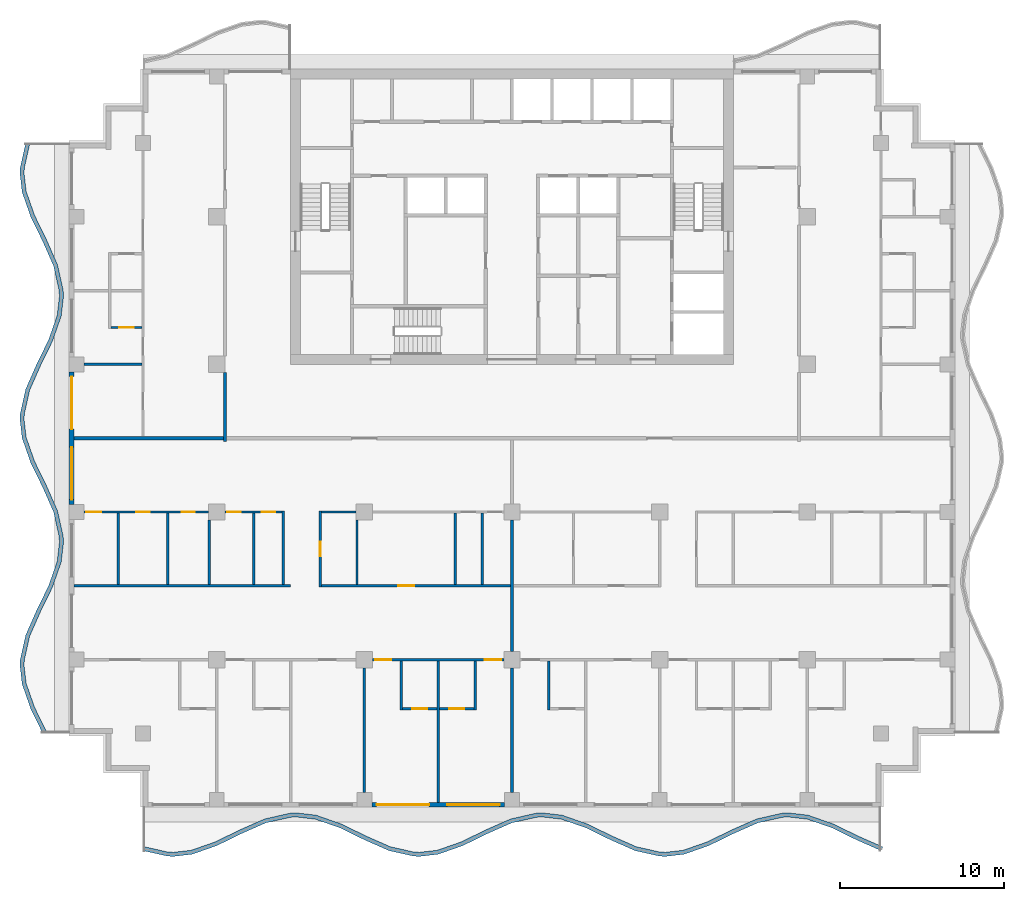
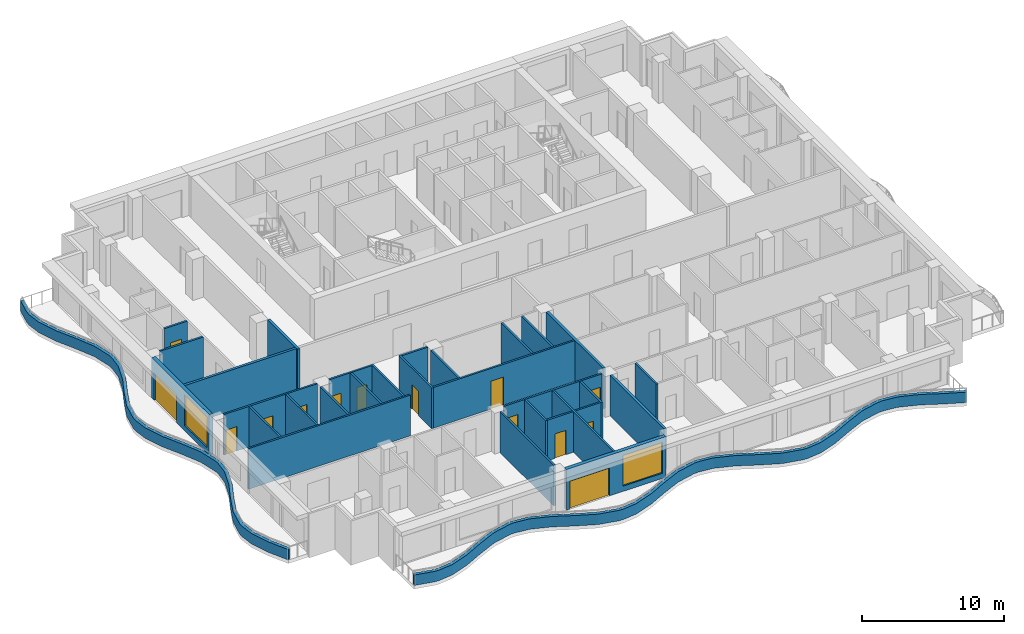
# One storey, part 2 of 11: 32 walls, 14 doors, 2 windows, 16 openings.
"""IFC4 building model written with IfcOpenShell, lengths in metres."""

from ifc_helpers import new_model, si_unit, direction, frame, frame_2d, origin, place, context, subcontext, project, spatial, polyline, rectangle, outline, extrude, material, layer, layer_set, type_object, element, fill, save


model = new_model("IFC4")

# Units and contexts
model_context = context("Model", 3, precision=1e-05, world=origin(), true_north=direction((0.0, 1.0)))
body_context = subcontext(model_context, "Body", "Model", "MODEL_VIEW")
ifc_project = project(units=[si_unit("LENGTHUNIT", "METRE"), si_unit("AREAUNIT", "SQUARE_METRE"), si_unit("VOLUMEUNIT", "CUBIC_METRE"), si_unit("PLANEANGLEUNIT", "RADIAN"), si_unit("MASSUNIT", "GRAM", prefix="KILO")], contexts=[model_context])

# Site, building, storey
site_placement = place(None, origin())
site = spatial("IfcSite", under=ifc_project, at=site_placement, CompositionType="ELEMENT")
building_placement = place(site_placement, origin())
building = spatial("IfcBuilding", under=site, at=building_placement, Name="Orbiselva Terraces", CompositionType="ELEMENT")
storey_placement = place(building_placement, frame((0.0, 0.0, 246.4)))
storey = spatial("IfcBuildingStorey", under=building, at=storey_placement, Name="L62", CompositionType="ELEMENT", Elevation=246.4)

# Walls
ifc_material_1 = material(Name="Concrete C40/50", Category="concrete")
ifc_layer_1 = layer(ifc_material_1, 0.25)
ifc_layer_set_1 = layer_set([ifc_layer_1], Name="Concrete C40/50")
wall_type_1 = type_object("IfcWallType", Name="ENV-PLANTER-250x900", PredefinedType="USERDEFINED", material=ifc_layer_set_1)
wall_1_placement = place(storey_placement, origin())
element("IfcWall", 1, at=wall_1_placement, inside=storey, type_object=wall_type_1, Name="Balcony planter L62 S", ObjectType="PLANTER", PredefinedType="USERDEFINED", context=body_context, shape_type="SweptSolid", body=[
    extrude(outline(polyline([(-22.5, -25.148528), (-21.0, -25.485226), (-20.625, -25.5), (-19.5, -25.369208), (-18.0, -24.844789), (-16.5, -24.112279), (-15.0, -23.451472), (-13.5, -23.114774), (-13.125, -23.1), (-12.0, -23.230792), (-10.5, -23.755211), (-9.0, -24.487721), (-7.5, -25.148528), (-6.0, -25.485226), (-5.625, -25.5), (-4.5, -25.369208), (-3.0, -24.844789), (-1.5, -24.112279), (0.0, -23.451472), (1.5, -23.114774), (1.875, -23.1), (3.0, -23.230792), (4.5, -23.755211), (6.0, -24.487721), (7.5, -25.148528), (9.0, -25.485226), (9.375, -25.5), (10.5, -25.369208), (12.0, -24.844789), (13.5, -24.112279), (15.0, -23.451472), (16.5, -23.114774), (16.875, -23.1), (18.0, -23.230792), (19.5, -23.755211), (21.0, -24.487721), (22.5, -25.148528), (22.600788, -24.919745), (21.105286, -24.260919), (19.59644, -23.524089), (18.056371, -22.985662), (16.884572, -22.849429), (16.467435, -22.865863), (14.921492, -23.212874), (13.394714, -23.885477), (11.90356, -24.613667), (10.443629, -25.124078), (9.365428, -25.249429), (9.032565, -25.236315), (7.578508, -24.90993), (6.105286, -24.260919), (4.59644, -23.524089), (3.056371, -22.985662), (1.884572, -22.849429), (1.467435, -22.865863), (-0.078508, -23.212874), (-1.605286, -23.885477), (-3.09644, -24.613667), (-4.556371, -25.124078), (-5.634572, -25.249429), (-5.967435, -25.236315), (-7.421492, -24.90993), (-8.894714, -24.260919), (-10.40356, -23.524089), (-11.943629, -22.985662), (-13.115428, -22.849429), (-13.532565, -22.865863), (-15.078508, -23.212874), (-16.605286, -23.885477), (-18.09644, -24.613667), (-19.556371, -25.124078), (-20.634572, -25.249429), (-20.967435, -25.236315), (-22.445246, -24.904598), (-22.5, -25.148528)])), origin(), (0.0, 0.0, 1.0), 0.9),
])
wall_2_placement = place(storey_placement, origin())
element("IfcWall", 2, at=wall_2_placement, inside=storey, type_object=wall_type_1, Name="Balcony planter L62 W", ObjectType="PLANTER", PredefinedType="USERDEFINED", context=body_context, shape_type="SweptSolid", body=[
    extrude(outline(polyline([(-29.648528, 18.0), (-29.985226, 16.5), (-30.0, 16.125), (-29.869208, 15.0), (-29.344789, 13.5), (-28.612279, 12.0), (-27.951472, 10.5), (-27.614774, 9.0), (-27.6, 8.625), (-27.730792, 7.5), (-28.255211, 6.0), (-28.987721, 4.5), (-29.648528, 3.0), (-29.985226, 1.5), (-30.0, 1.125), (-29.869208, 0.0), (-29.344789, -1.5), (-28.612279, -3.0), (-27.951472, -4.5), (-27.614774, -6.0), (-27.6, -6.375), (-27.730792, -7.5), (-28.255211, -9.0), (-28.987721, -10.5), (-29.648528, -12.0), (-29.985226, -13.5), (-30.0, -13.875), (-29.869208, -15.0), (-29.344789, -16.5), (-28.612279, -18.0), (-28.387634, -17.890297), (-29.113667, -16.40356), (-29.624078, -14.943629), (-29.749429, -13.865428), (-29.736315, -13.532565), (-29.40993, -12.078508), (-28.760919, -10.605286), (-28.024089, -9.09644), (-27.485662, -7.556371), (-27.349429, -6.384572), (-27.365863, -5.967435), (-27.712874, -4.421492), (-28.385477, -2.894714), (-29.113667, -1.40356), (-29.624078, 0.056371), (-29.749429, 1.134572), (-29.736315, 1.467435), (-29.40993, 2.921492), (-28.760919, 4.394714), (-28.024089, 5.90356), (-27.485662, 7.443629), (-27.349429, 8.615428), (-27.365863, 9.032565), (-27.712874, 10.578508), (-28.385477, 12.105286), (-29.113667, 13.59644), (-29.624078, 15.056371), (-29.749429, 16.134572), (-29.736315, 16.467435), (-29.404598, 17.945246), (-29.648528, 18.0)])), origin(), (0.0, 0.0, 1.0), 0.9),
])

# Wall, openings, door, window
ifc_material_2 = material(Name="Terracotta cladding on masonry backing", Category="masonry")
ifc_layer_2 = layer(ifc_material_2, 0.3)
ifc_layer_set_2 = layer_set([ifc_layer_2], Name="Terracotta cladding on masonry backing")
wall_type_2 = type_object("IfcWallType", Name="ENV-WALL-TERRACOTTA-300", PredefinedType="SOLIDWALL", material=ifc_layer_set_2)
wall_3_placement = place(storey_placement, frame((-0.45, -22.35, 0.0), z_axis=(0.0, 0.0, 1.0), x_axis=(-1.0, 0.0, 0.0)))
wall_3 = element("IfcWall", 3, at=wall_3_placement, inside=storey, type_object=wall_type_2, Name="Facade wall L62 S", PredefinedType="SOLIDWALL", context=body_context, shape_type="SweptSolid", body=[
    extrude(rectangle(XDim=8.1, YDim=0.3, at=frame_2d((4.05, 0.0))), origin(), (0.0, 0.0, 1.0), 3.5),
])
opening_1_placement = place(wall_3_placement, frame((4.6, 0.0, 0.0)))
opening_1 = element("IfcOpeningElement", 4, at=opening_1_placement, cuts=wall_3, Name="Opening Z5-A-E18", PredefinedType="OPENING", context=body_context, shape_type="SweptSolid", body=[
    extrude(rectangle(XDim=3.2, YDim=2.4, at=frame_2d((1.6, 1.2))), frame((0.0, 0.16, 0.0), z_axis=(0.0, -1.0, 0.0), x_axis=(1.0, 0.0, 0.0)), (0.0, 0.0, 1.0), 0.32),
])
opening_2_placement = place(wall_3_placement, frame((0.3, 0.0, 0.45)))
opening_2 = element("IfcOpeningElement", 5, at=opening_2_placement, cuts=wall_3, Name="Opening WN17", PredefinedType="OPENING", context=body_context, shape_type="SweptSolid", body=[
    extrude(rectangle(XDim=3.2, YDim=2.65, at=frame_2d((1.6, 1.325))), frame((0.0, 0.16, 0.0), z_axis=(0.0, -1.0, 0.0), x_axis=(1.0, 0.0, 0.0)), (0.0, 0.0, 1.0), 0.32),
])
ifc_material_3 = material(Name="Clear low-e glazing in aluminium frame", Category="aluminium")
door_type_1 = type_object("IfcDoorType", Name="BALCONY DOOR 3200 X 2400", OperationType="DOUBLE_DOOR_SLIDING", PredefinedType="DOOR", material=ifc_material_3)
door_1_placement = place(opening_1_placement, origin())
door_1 = element("IfcDoor", 6, at=door_1_placement, inside=storey, type_object=door_type_1, Name="Z5-A-E18", OperationType="SINGLE_SWING_LEFT", OverallHeight=2.4, OverallWidth=3.2, PredefinedType="DOOR", context=body_context, shape_type="SweptSolid", body=[
    extrude(rectangle(XDim=3.2, YDim=2.4, at=frame_2d((1.6, 1.2))), frame((0.0, 0.025, 0.0), z_axis=(0.0, -1.0, 0.0), x_axis=(1.0, 0.0, 0.0)), (0.0, 0.0, 1.0), 0.05),
])
fill(opening_1, door_1)
window_type = type_object("IfcWindowType", Name="WINDOW 3200 X 2650 S450", PartitioningType="TRIPLE_PANEL_VERTICAL", PredefinedType="WINDOW", material=ifc_material_3)
window_1_placement = place(opening_2_placement, origin())
window_1 = element("IfcWindow", 7, at=window_1_placement, inside=storey, type_object=window_type, Name="Window L62 S", OverallHeight=2.65, OverallWidth=3.2, PartitioningType="SINGLE_PANEL", PredefinedType="WINDOW", context=body_context, shape_type="SweptSolid", body=[
    extrude(rectangle(XDim=3.2, YDim=2.65, at=frame_2d((1.6, 1.325))), frame((0.0, 0.03, 0.0), z_axis=(0.0, -1.0, 0.0), x_axis=(1.0, 0.0, 0.0)), (0.0, 0.0, 1.0), 0.06),
])
fill(opening_2, window_1)

wall_4_placement = place(storey_placement, frame((-26.85, -4.05, 0.0), z_axis=(0.0, 0.0, 1.0), x_axis=(0.0, 1.0, 0.0)))
wall_4 = element("IfcWall", 8, at=wall_4_placement, inside=storey, type_object=wall_type_2, Name="Facade wall L62 W", PredefinedType="SOLIDWALL", context=body_context, shape_type="SweptSolid", body=[
    extrude(rectangle(XDim=8.1, YDim=0.3, at=frame_2d((4.05, 0.0))), origin(), (0.0, 0.0, 1.0), 3.5),
])
opening_3_placement = place(wall_4_placement, frame((4.6, 0.0, 0.0)))
opening_3 = element("IfcOpeningElement", 9, at=opening_3_placement, cuts=wall_4, Name="Opening Z5-A-E22", PredefinedType="OPENING", context=body_context, shape_type="SweptSolid", body=[
    extrude(rectangle(XDim=3.2, YDim=2.4, at=frame_2d((1.6, 1.2))), frame((0.0, 0.16, 0.0), z_axis=(0.0, -1.0, 0.0), x_axis=(1.0, 0.0, 0.0)), (0.0, 0.0, 1.0), 0.32),
])
opening_4_placement = place(wall_4_placement, frame((0.3, 0.0, 0.45)))
opening_4 = element("IfcOpeningElement", 10, at=opening_4_placement, cuts=wall_4, Name="Opening WN17", PredefinedType="OPENING", context=body_context, shape_type="SweptSolid", body=[
    extrude(rectangle(XDim=3.2, YDim=2.65, at=frame_2d((1.6, 1.325))), frame((0.0, 0.16, 0.0), z_axis=(0.0, -1.0, 0.0), x_axis=(1.0, 0.0, 0.0)), (0.0, 0.0, 1.0), 0.32),
])
door_2_placement = place(opening_3_placement, origin())
door_2 = element("IfcDoor", 11, at=door_2_placement, inside=storey, type_object=door_type_1, Name="Z5-A-E22", OperationType="SINGLE_SWING_LEFT", OverallHeight=2.4, OverallWidth=3.2, PredefinedType="DOOR", context=body_context, shape_type="SweptSolid", body=[
    extrude(rectangle(XDim=3.2, YDim=2.4, at=frame_2d((1.6, 1.2))), frame((0.0, 0.025, 0.0), z_axis=(0.0, -1.0, 0.0), x_axis=(1.0, 0.0, 0.0)), (0.0, 0.0, 1.0), 0.05),
])
fill(opening_3, door_2)
window_2_placement = place(opening_4_placement, origin())
window_2 = element("IfcWindow", 12, at=window_2_placement, inside=storey, type_object=window_type, Name="Window L62 W", OverallHeight=2.65, OverallWidth=3.2, PartitioningType="SINGLE_PANEL", PredefinedType="WINDOW", context=body_context, shape_type="SweptSolid", body=[
    extrude(rectangle(XDim=3.2, YDim=2.65, at=frame_2d((1.6, 1.325))), frame((0.0, 0.03, 0.0), z_axis=(0.0, -1.0, 0.0), x_axis=(1.0, 0.0, 0.0)), (0.0, 0.0, 1.0), 0.06),
])
fill(opening_4, window_2)

# Wall
ifc_material_4 = material(Name="Plasterboard on steel stud partition", Category="steel")
ifc_layer_3 = layer(ifc_material_4, 0.2)
ifc_layer_set_3 = layer_set([ifc_layer_3], Name="Plasterboard on steel stud partition")
wall_type_3 = type_object("IfcWallType", Name="UNIT-ENTRANCE-WALL-200", PredefinedType="PARTITIONING", material=ifc_layer_set_3)
wall_5_placement = place(storey_placement, frame((-17.5, -0.2, 0.0), z_axis=(0.0, 0.0, 1.0), x_axis=(0.0, 1.0, 0.0)))
element("IfcWall", 13, at=wall_5_placement, inside=storey, type_object=wall_type_3, Name="PARTITION L62-050", PredefinedType="PARTITIONING", context=body_context, shape_type="SweptSolid", body=[
    extrude(rectangle(XDim=4.2, YDim=0.2, at=frame_2d((2.1, 0.0))), origin(), (0.0, 0.0, 1.0), 3.5),
])

# Wall, opening, door
ifc_layer_4 = layer(ifc_material_4, 0.15)
ifc_layer_set_4 = layer_set([ifc_layer_4], Name="Plasterboard on steel stud partition")
wall_type_4 = type_object("IfcWallType", Name="UNIT-PARTITION-150", PredefinedType="PARTITIONING", material=ifc_layer_set_4)
wall_6_placement = place(storey_placement, frame((-6.675, -16.5, 0.0), z_axis=(0.0, 0.0, 1.0), x_axis=(1.0, 0.0, 0.0)))
wall_6 = element("IfcWall", 14, at=wall_6_placement, inside=storey, type_object=wall_type_4, Name="PARTITION L62-003", PredefinedType="PARTITIONING", context=body_context, shape_type="SweptSolid", body=[
    extrude(rectangle(XDim=2.1, YDim=0.15, at=frame_2d((1.05, 0.0))), origin(), (0.0, 0.0, 1.0), 3.5),
])
opening_5_placement = place(wall_6_placement, frame((0.6, 0.0, 0.0)))
opening_5 = element("IfcOpeningElement", 15, at=opening_5_placement, cuts=wall_6, Name="Opening Z5-A-29", PredefinedType="OPENING", context=body_context, shape_type="SweptSolid", body=[
    extrude(rectangle(XDim=0.9, YDim=2.1, at=frame_2d((0.45, 1.05))), frame((0.0, 0.085, 0.0), z_axis=(0.0, -1.0, 0.0), x_axis=(1.0, 0.0, 0.0)), (0.0, 0.0, 1.0), 0.17),
])
ifc_material_5 = material(Name="Painted timber door leaf", Category="wood")
door_type_2 = type_object("IfcDoorType", Name="BATH DOOR 900", OperationType="NOTDEFINED", PredefinedType="DOOR", material=ifc_material_5)
door_3_placement = place(opening_5_placement, origin())
door_3 = element("IfcDoor", 16, at=door_3_placement, inside=storey, type_object=door_type_2, Name="Z5-A-29", OperationType="SINGLE_SWING_LEFT", OverallHeight=2.1, OverallWidth=0.9, PredefinedType="DOOR", context=body_context, shape_type="SweptSolid", body=[
    extrude(rectangle(XDim=0.9, YDim=2.1, at=frame_2d((0.45, 1.05))), frame((0.0, 0.025, 0.0), z_axis=(0.0, -1.0, 0.0), x_axis=(1.0, 0.0, 0.0)), (0.0, 0.0, 1.0), 0.05),
])
fill(opening_5, door_3)

wall_7_placement = place(storey_placement, frame((-4.425, -16.5, 0.0), z_axis=(0.0, 0.0, 1.0), x_axis=(1.0, 0.0, 0.0)))
wall_7 = element("IfcWall", 17, at=wall_7_placement, inside=storey, type_object=wall_type_4, Name="PARTITION L62-004", PredefinedType="PARTITIONING", context=body_context, shape_type="SweptSolid", body=[
    extrude(rectangle(XDim=2.1, YDim=0.15, at=frame_2d((1.05, 0.0))), origin(), (0.0, 0.0, 1.0), 3.5),
])
opening_6_placement = place(wall_7_placement, frame((0.6, 0.0, 0.0)))
opening_6 = element("IfcOpeningElement", 18, at=opening_6_placement, cuts=wall_7, Name="Opening Z5-A-27", PredefinedType="OPENING", context=body_context, shape_type="SweptSolid", body=[
    extrude(rectangle(XDim=0.9, YDim=2.1, at=frame_2d((0.45, 1.05))), frame((0.0, 0.085, 0.0), z_axis=(0.0, -1.0, 0.0), x_axis=(1.0, 0.0, 0.0)), (0.0, 0.0, 1.0), 0.17),
])
door_4_placement = place(opening_6_placement, origin())
door_4 = element("IfcDoor", 19, at=door_4_placement, inside=storey, type_object=door_type_2, Name="Z5-A-27", OperationType="SINGLE_SWING_RIGHT", OverallHeight=2.1, OverallWidth=0.9, PredefinedType="DOOR", context=body_context, shape_type="SweptSolid", body=[
    extrude(rectangle(XDim=0.9, YDim=2.1, at=frame_2d((0.45, 1.05))), frame((0.0, 0.025, 0.0), z_axis=(0.0, -1.0, 0.0), x_axis=(1.0, 0.0, 0.0)), (0.0, 0.0, 1.0), 0.05),
])
fill(opening_6, door_4)

# Wall, openings, doors
wall_8_placement = place(storey_placement, frame((-0.5, -13.5, 0.0), z_axis=(0.0, 0.0, 1.0), x_axis=(-1.0, 0.0, 0.0)))
wall_8 = element("IfcWall", 20, at=wall_8_placement, inside=storey, type_object=wall_type_4, Name="PARTITION L62-011", PredefinedType="PARTITIONING", context=body_context, shape_type="SweptSolid", body=[
    extrude(rectangle(XDim=8.0, YDim=0.15, at=frame_2d((4.0, 0.0))), origin(), (0.0, 0.0, 1.0), 3.5),
])
opening_7_placement = place(wall_8_placement, frame((0.15, 0.0, 0.0)))
opening_7 = element("IfcOpeningElement", 21, at=opening_7_placement, cuts=wall_8, Name="Opening Z5-A-26", PredefinedType="OPENING", context=body_context, shape_type="SweptSolid", body=[
    extrude(rectangle(XDim=1.0, YDim=2.4, at=frame_2d((0.5, 1.2))), frame((0.0, 0.085, 0.0), z_axis=(0.0, -1.0, 0.0), x_axis=(1.0, 0.0, 0.0)), (0.0, 0.0, 1.0), 0.17),
])
opening_8_placement = place(wall_8_placement, frame((6.85, 0.0, 0.0)))
opening_8 = element("IfcOpeningElement", 22, at=opening_8_placement, cuts=wall_8, Name="Opening Z5-A-28", PredefinedType="OPENING", context=body_context, shape_type="SweptSolid", body=[
    extrude(rectangle(XDim=1.0, YDim=2.4, at=frame_2d((0.5, 1.2))), frame((0.0, 0.085, 0.0), z_axis=(0.0, -1.0, 0.0), x_axis=(1.0, 0.0, 0.0)), (0.0, 0.0, 1.0), 0.17),
])
door_type_3 = type_object("IfcDoorType", Name="ROOM DOOR 1000", OperationType="NOTDEFINED", PredefinedType="DOOR", material=ifc_material_5)
door_5_placement = place(opening_7_placement, origin())
door_5 = element("IfcDoor", 23, at=door_5_placement, inside=storey, type_object=door_type_3, Name="Z5-A-26", OperationType="SINGLE_SWING_LEFT", OverallHeight=2.4, OverallWidth=1.0, PredefinedType="DOOR", context=body_context, shape_type="SweptSolid", body=[
    extrude(rectangle(XDim=1.0, YDim=2.4, at=frame_2d((0.5, 1.2))), frame((0.0, 0.025, 0.0), z_axis=(0.0, -1.0, 0.0), x_axis=(1.0, 0.0, 0.0)), (0.0, 0.0, 1.0), 0.05),
])
fill(opening_7, door_5)
door_6_placement = place(opening_8_placement, origin())
door_6 = element("IfcDoor", 24, at=door_6_placement, inside=storey, type_object=door_type_3, Name="Z5-A-28", OperationType="SINGLE_SWING_RIGHT", OverallHeight=2.4, OverallWidth=1.0, PredefinedType="DOOR", context=body_context, shape_type="SweptSolid", body=[
    extrude(rectangle(XDim=1.0, YDim=2.4, at=frame_2d((0.5, 1.2))), frame((0.0, 0.025, 0.0), z_axis=(0.0, -1.0, 0.0), x_axis=(1.0, 0.0, 0.0)), (0.0, 0.0, 1.0), 0.05),
])
fill(opening_8, door_6)

# Wall
wall_9_placement = place(storey_placement, frame((-26.7, -9.0, 0.0), z_axis=(0.0, 0.0, 1.0), x_axis=(1.0, 0.0, 0.0)))
element("IfcWall", 25, at=wall_9_placement, inside=storey, type_object=wall_type_4, Name="PARTITION L62-015", PredefinedType="PARTITIONING", context=body_context, shape_type="SweptSolid", body=[
    extrude(rectangle(XDim=13.2, YDim=0.15, at=frame_2d((6.6, 0.0))), origin(), (0.0, 0.0, 1.0), 3.5),
])

# Wall, opening, door
wall_10_placement = place(storey_placement, frame((-11.625, -9.0, 0.0), z_axis=(0.0, 0.0, 1.0), x_axis=(1.0, 0.0, 0.0)))
wall_10 = element("IfcWall", 26, at=wall_10_placement, inside=storey, type_object=wall_type_4, Name="PARTITION L62-016", PredefinedType="PARTITIONING", context=body_context, shape_type="SweptSolid", body=[
    extrude(rectangle(XDim=11.525, YDim=0.15, at=frame_2d((5.7625, 0.0))), origin(), (0.0, 0.0, 1.0), 3.5),
])
opening_9_placement = place(wall_10_placement, frame((4.675, 0.0, 0.0)))
opening_9 = element("IfcOpeningElement", 27, at=opening_9_placement, cuts=wall_10, Name="Opening Z5-A-19", PredefinedType="OPENING", context=body_context, shape_type="SweptSolid", body=[
    extrude(rectangle(XDim=1.0, YDim=2.4, at=frame_2d((0.5, 1.2))), frame((0.0, 0.085, 0.0), z_axis=(0.0, -1.0, 0.0), x_axis=(1.0, 0.0, 0.0)), (0.0, 0.0, 1.0), 0.17),
])
door_7_placement = place(opening_9_placement, origin())
door_7 = element("IfcDoor", 28, at=door_7_placement, inside=storey, type_object=door_type_3, Name="Z5-A-19", OperationType="SINGLE_SWING_LEFT", OverallHeight=2.4, OverallWidth=1.0, PredefinedType="DOOR", context=body_context, shape_type="SweptSolid", body=[
    extrude(rectangle(XDim=1.0, YDim=2.4, at=frame_2d((0.5, 1.2))), frame((0.0, 0.025, 0.0), z_axis=(0.0, -1.0, 0.0), x_axis=(1.0, 0.0, 0.0)), (0.0, 0.0, 1.0), 0.05),
])
fill(opening_9, door_7)

# Wall, openings, doors
wall_11_placement = place(storey_placement, frame((-18.5, -4.5, 0.0), z_axis=(0.0, 0.0, 1.0), x_axis=(-1.0, 0.0, 0.0)))
wall_11 = element("IfcWall", 29, at=wall_11_placement, inside=storey, type_object=wall_type_4, Name="PARTITION L62-019", PredefinedType="PARTITIONING", context=body_context, shape_type="SweptSolid", body=[
    extrude(rectangle(XDim=7.6, YDim=0.15, at=frame_2d((3.8, 0.0))), origin(), (0.0, 0.0, 1.0), 3.5),
])
opening_10_placement = place(wall_11_placement, frame((0.85, 0.0, 0.0)))
opening_10 = element("IfcOpeningElement", 30, at=opening_10_placement, cuts=wall_11, Name="Opening Z5-A-23", PredefinedType="OPENING", context=body_context, shape_type="SweptSolid", body=[
    extrude(rectangle(XDim=0.8, YDim=2.0, at=frame_2d((0.4, 1.0))), frame((0.0, 0.085, 0.0), z_axis=(0.0, -1.0, 0.0), x_axis=(1.0, 0.0, 0.0)), (0.0, 0.0, 1.0), 0.17),
])
opening_11_placement = place(wall_11_placement, frame((3.6, 0.0, 0.0)))
opening_11 = element("IfcOpeningElement", 31, at=opening_11_placement, cuts=wall_11, Name="Opening Z5-A-24", PredefinedType="OPENING", context=body_context, shape_type="SweptSolid", body=[
    extrude(rectangle(XDim=0.8, YDim=2.0, at=frame_2d((0.4, 1.0))), frame((0.0, 0.085, 0.0), z_axis=(0.0, -1.0, 0.0), x_axis=(1.0, 0.0, 0.0)), (0.0, 0.0, 1.0), 0.17),
])
opening_12_placement = place(wall_11_placement, frame((6.55, 0.0, 0.0)))
opening_12 = element("IfcOpeningElement", 32, at=opening_12_placement, cuts=wall_11, Name="Opening Z5-A-25", PredefinedType="OPENING", context=body_context, shape_type="SweptSolid", body=[
    extrude(rectangle(XDim=0.9, YDim=2.1, at=frame_2d((0.45, 1.05))), frame((0.0, 0.085, 0.0), z_axis=(0.0, -1.0, 0.0), x_axis=(1.0, 0.0, 0.0)), (0.0, 0.0, 1.0), 0.17),
])
door_type_4 = type_object("IfcDoorType", Name="SERVICE DOOR 900", OperationType="NOTDEFINED", PredefinedType="DOOR", material=ifc_material_5)
door_8_placement = place(opening_12_placement, origin())
door_8 = element("IfcDoor", 33, at=door_8_placement, inside=storey, type_object=door_type_4, Name="Z5-A-25", OperationType="SINGLE_SWING_RIGHT", OverallHeight=2.1, OverallWidth=0.9, PredefinedType="DOOR", context=body_context, shape_type="SweptSolid", body=[
    extrude(rectangle(XDim=0.9, YDim=2.1, at=frame_2d((0.45, 1.05))), frame((0.0, 0.025, 0.0), z_axis=(0.0, -1.0, 0.0), x_axis=(1.0, 0.0, 0.0)), (0.0, 0.0, 1.0), 0.05),
])
fill(opening_12, door_8)
door_type_5 = type_object("IfcDoorType", Name="STORE DOOR 800", OperationType="NOTDEFINED", PredefinedType="DOOR", material=ifc_material_5)
door_9_placement = place(opening_10_placement, origin())
door_9 = element("IfcDoor", 34, at=door_9_placement, inside=storey, type_object=door_type_5, Name="Z5-A-23", OperationType="SINGLE_SWING_LEFT", OverallHeight=2.0, OverallWidth=0.8, PredefinedType="DOOR", context=body_context, shape_type="SweptSolid", body=[
    extrude(rectangle(XDim=0.8, YDim=2.0, at=frame_2d((0.4, 1.0))), frame((0.0, 0.025, 0.0), z_axis=(0.0, -1.0, 0.0), x_axis=(1.0, 0.0, 0.0)), (0.0, 0.0, 1.0), 0.05),
])
fill(opening_10, door_9)
door_10_placement = place(opening_11_placement, origin())
door_10 = element("IfcDoor", 35, at=door_10_placement, inside=storey, type_object=door_type_5, Name="Z5-A-24", OperationType="SINGLE_SWING_RIGHT", OverallHeight=2.0, OverallWidth=0.8, PredefinedType="DOOR", context=body_context, shape_type="SweptSolid", body=[
    extrude(rectangle(XDim=0.8, YDim=2.0, at=frame_2d((0.4, 1.0))), frame((0.0, 0.025, 0.0), z_axis=(0.0, -1.0, 0.0), x_axis=(1.0, 0.0, 0.0)), (0.0, 0.0, 1.0), 0.05),
])
fill(opening_11, door_10)

wall_12_placement = place(storey_placement, frame((-14.025, -4.5, 0.0), z_axis=(0.0, 0.0, 1.0), x_axis=(-1.0, 0.0, 0.0)))
wall_12 = element("IfcWall", 36, at=wall_12_placement, inside=storey, type_object=wall_type_4, Name="PARTITION L62-020", PredefinedType="PARTITIONING", context=body_context, shape_type="SweptSolid", body=[
    extrude(rectangle(XDim=3.475, YDim=0.15, at=frame_2d((1.7375, 0.0))), origin(), (0.0, 0.0, 1.0), 3.5),
])
opening_13_placement = place(wall_12_placement, frame((0.425, 0.0, 0.0)))
opening_13 = element("IfcOpeningElement", 37, at=opening_13_placement, cuts=wall_12, Name="Opening Z5-A-21", PredefinedType="OPENING", context=body_context, shape_type="SweptSolid", body=[
    extrude(rectangle(XDim=0.8, YDim=2.0, at=frame_2d((0.4, 1.0))), frame((0.0, 0.085, 0.0), z_axis=(0.0, -1.0, 0.0), x_axis=(1.0, 0.0, 0.0)), (0.0, 0.0, 1.0), 0.17),
])
opening_14_placement = place(wall_12_placement, frame((2.525, 0.0, 0.0)))
opening_14 = element("IfcOpeningElement", 38, at=opening_14_placement, cuts=wall_12, Name="Opening Z5-A-22", PredefinedType="OPENING", context=body_context, shape_type="SweptSolid", body=[
    extrude(rectangle(XDim=0.8, YDim=2.0, at=frame_2d((0.4, 1.0))), frame((0.0, 0.085, 0.0), z_axis=(0.0, -1.0, 0.0), x_axis=(1.0, 0.0, 0.0)), (0.0, 0.0, 1.0), 0.17),
])
door_11_placement = place(opening_13_placement, origin())
door_11 = element("IfcDoor", 39, at=door_11_placement, inside=storey, type_object=door_type_5, Name="Z5-A-21", OperationType="SINGLE_SWING_LEFT", OverallHeight=2.0, OverallWidth=0.8, PredefinedType="DOOR", context=body_context, shape_type="SweptSolid", body=[
    extrude(rectangle(XDim=0.8, YDim=2.0, at=frame_2d((0.4, 1.0))), frame((0.0, 0.025, 0.0), z_axis=(0.0, -1.0, 0.0), x_axis=(1.0, 0.0, 0.0)), (0.0, 0.0, 1.0), 0.05),
])
fill(opening_13, door_11)
door_12_placement = place(opening_14_placement, origin())
door_12 = element("IfcDoor", 40, at=door_12_placement, inside=storey, type_object=door_type_5, Name="Z5-A-22", OperationType="SINGLE_SWING_RIGHT", OverallHeight=2.0, OverallWidth=0.8, PredefinedType="DOOR", context=body_context, shape_type="SweptSolid", body=[
    extrude(rectangle(XDim=0.8, YDim=2.0, at=frame_2d((0.4, 1.0))), frame((0.0, 0.025, 0.0), z_axis=(0.0, -1.0, 0.0), x_axis=(1.0, 0.0, 0.0)), (0.0, 0.0, 1.0), 0.05),
])
fill(opening_14, door_12)

# Walls
wall_13_placement = place(storey_placement, frame((-11.625, -4.5, 0.0), z_axis=(0.0, 0.0, 1.0), x_axis=(1.0, 0.0, 0.0)))
element("IfcWall", 41, at=wall_13_placement, inside=storey, type_object=wall_type_4, Name="PARTITION L62-021", PredefinedType="PARTITIONING", context=body_context, shape_type="SweptSolid", body=[
    extrude(rectangle(XDim=2.125, YDim=0.15, at=frame_2d((1.0625, 0.0))), origin(), (0.0, 0.0, 1.0), 3.5),
])
wall_14_placement = place(storey_placement, frame((-26.1, 4.5, 0.0), z_axis=(0.0, 0.0, 1.0), x_axis=(1.0, 0.0, 0.0)))
element("IfcWall", 42, at=wall_14_placement, inside=storey, type_object=wall_type_4, Name="PARTITION L62-029", PredefinedType="PARTITIONING", context=body_context, shape_type="SweptSolid", body=[
    extrude(rectangle(XDim=3.525, YDim=0.15, at=frame_2d((1.7625, 0.0))), origin(), (0.0, 0.0, 1.0), 3.5),
])

# Wall, opening, door
wall_15_placement = place(storey_placement, frame((-24.45, 6.75, 0.0), z_axis=(0.0, 0.0, 1.0), x_axis=(1.0, 0.0, 0.0)))
wall_15 = element("IfcWall", 43, at=wall_15_placement, inside=storey, type_object=wall_type_4, Name="PARTITION L62-031", PredefinedType="PARTITIONING", context=body_context, shape_type="SweptSolid", body=[
    extrude(rectangle(XDim=1.875, YDim=0.15, at=frame_2d((0.9375, 0.0))), origin(), (0.0, 0.0, 1.0), 3.5),
])
opening_15_placement = place(wall_15_placement, frame((0.5, 0.0, 0.0)))
opening_15 = element("IfcOpeningElement", 44, at=opening_15_placement, cuts=wall_15, Name="Opening Z5-A-05", PredefinedType="OPENING", context=body_context, shape_type="SweptSolid", body=[
    extrude(rectangle(XDim=0.9, YDim=2.1, at=frame_2d((0.45, 1.05))), frame((0.0, 0.085, 0.0), z_axis=(0.0, -1.0, 0.0), x_axis=(1.0, 0.0, 0.0)), (0.0, 0.0, 1.0), 0.17),
])
door_13_placement = place(opening_15_placement, origin())
door_13 = element("IfcDoor", 45, at=door_13_placement, inside=storey, type_object=door_type_2, Name="Z5-A-05", OperationType="SINGLE_SWING_RIGHT", OverallHeight=2.1, OverallWidth=0.9, PredefinedType="DOOR", context=body_context, shape_type="SweptSolid", body=[
    extrude(rectangle(XDim=0.9, YDim=2.1, at=frame_2d((0.45, 1.05))), frame((0.0, 0.025, 0.0), z_axis=(0.0, -1.0, 0.0), x_axis=(1.0, 0.0, 0.0)), (0.0, 0.0, 1.0), 0.05),
])
fill(opening_15, door_13)

# Walls
for number, where, z_axis, x_axis, name in (
    (46, (-24.0, -8.925, 0.0), (0.0, 0.0, 1.0), (0.0, 1.0, 0.0), "PARTITION L62-043"),
    (47, (-21.0, -8.925, 0.0), (0.0, 0.0, 1.0), (0.0, 1.0, 0.0), "PARTITION L62-046"),
):
    element("IfcWall", number, at=place(storey_placement, frame(where, z_axis=z_axis, x_axis=x_axis)), inside=storey, type_object=wall_type_4, Name=name, PredefinedType="PARTITIONING", context=body_context, shape_type="SweptSolid", body=[
        extrude(rectangle(XDim=4.35, YDim=0.15, at=frame_2d((2.175, 0.0))), origin(), (0.0, 0.0, 1.0), 3.5),
    ])
wall_16_placement = place(storey_placement, frame((-18.45, -8.925, 0.0), z_axis=(0.0, 0.0, 1.0), x_axis=(0.0, 1.0, 0.0)))
element("IfcWall", 48, at=wall_16_placement, inside=storey, type_object=wall_type_4, Name="PARTITION L62-048", PredefinedType="PARTITIONING", context=body_context, shape_type="SweptSolid", body=[
    extrude(rectangle(XDim=3.925, YDim=0.15, at=frame_2d((1.9625, 0.0))), origin(), (0.0, 0.0, 1.0), 3.5),
])
wall_17_placement = place(storey_placement, frame((-15.75, -8.925, 0.0), z_axis=(0.0, 0.0, 1.0), x_axis=(0.0, 1.0, 0.0)))
element("IfcWall", 49, at=wall_17_placement, inside=storey, type_object=wall_type_4, Name="PARTITION L62-054", PredefinedType="PARTITIONING", context=body_context, shape_type="SweptSolid", body=[
    extrude(rectangle(XDim=4.35, YDim=0.15, at=frame_2d((2.175, 0.0))), origin(), (0.0, 0.0, 1.0), 3.5),
])
wall_18_placement = place(storey_placement, frame((-13.95, -8.925, 0.0), z_axis=(0.0, 0.0, 1.0), x_axis=(0.0, 1.0, 0.0)))
element("IfcWall", 50, at=wall_18_placement, inside=storey, type_object=wall_type_4, Name="PARTITION L62-055", PredefinedType="PARTITIONING", context=body_context, shape_type="SweptSolid", body=[
    extrude(rectangle(XDim=4.5, YDim=0.15, at=frame_2d((2.25, 0.0))), origin(), (0.0, 0.0, 1.0), 3.5),
])

# Wall, opening, door
wall_19_placement = place(storey_placement, frame((-11.7, -4.425, 0.0), z_axis=(0.0, 0.0, 1.0), x_axis=(0.0, -1.0, 0.0)))
wall_19 = element("IfcWall", 51, at=wall_19_placement, inside=storey, type_object=wall_type_4, Name="PARTITION L62-057", PredefinedType="PARTITIONING", context=body_context, shape_type="SweptSolid", body=[
    extrude(rectangle(XDim=4.65, YDim=0.15, at=frame_2d((2.325, 0.0))), origin(), (0.0, 0.0, 1.0), 3.5),
])
opening_16_placement = place(wall_19_placement, frame((1.875, 0.0, 0.0)))
opening_16 = element("IfcOpeningElement", 52, at=opening_16_placement, cuts=wall_19, Name="Opening Z5-A-20", PredefinedType="OPENING", context=body_context, shape_type="SweptSolid", body=[
    extrude(rectangle(XDim=0.9, YDim=2.1, at=frame_2d((0.45, 1.05))), frame((0.0, 0.085, 0.0), z_axis=(0.0, -1.0, 0.0), x_axis=(1.0, 0.0, 0.0)), (0.0, 0.0, 1.0), 0.17),
])
door_14_placement = place(opening_16_placement, origin())
door_14 = element("IfcDoor", 53, at=door_14_placement, inside=storey, type_object=door_type_2, Name="Z5-A-20", OperationType="SINGLE_SWING_RIGHT", OverallHeight=2.1, OverallWidth=0.9, PredefinedType="DOOR", context=body_context, shape_type="SweptSolid", body=[
    extrude(rectangle(XDim=0.9, YDim=2.1, at=frame_2d((0.45, 1.05))), frame((0.0, 0.025, 0.0), z_axis=(0.0, -1.0, 0.0), x_axis=(1.0, 0.0, 0.0)), (0.0, 0.0, 1.0), 0.05),
])
fill(opening_16, door_14)

# Walls
wall_20_placement = place(storey_placement, frame((-9.45, -8.925, 0.0), z_axis=(0.0, 0.0, 1.0), x_axis=(0.0, 1.0, 0.0)))
element("IfcWall", 54, at=wall_20_placement, inside=storey, type_object=wall_type_4, Name="PARTITION L62-058", PredefinedType="PARTITIONING", context=body_context, shape_type="SweptSolid", body=[
    extrude(rectangle(XDim=3.925, YDim=0.15, at=frame_2d((1.9625, 0.0))), origin(), (0.0, 0.0, 1.0), 3.5),
])
wall_21_placement = place(storey_placement, frame((-9.0, -21.6, 0.0), z_axis=(0.0, 0.0, 1.0), x_axis=(0.0, 1.0, 0.0)))
element("IfcWall", 55, at=wall_21_placement, inside=storey, type_object=wall_type_4, Name="PARTITION L62-059", PredefinedType="PARTITIONING", context=body_context, shape_type="SweptSolid", body=[
    extrude(rectangle(XDim=7.6, YDim=0.15, at=frame_2d((3.8, 0.0))), origin(), (0.0, 0.0, 1.0), 3.5),
])
wall_22_placement = place(storey_placement, frame((-6.75, -16.575, 0.0), z_axis=(0.0, 0.0, 1.0), x_axis=(0.0, 1.0, 0.0)))
element("IfcWall", 56, at=wall_22_placement, inside=storey, type_object=wall_type_4, Name="PARTITION L62-060", PredefinedType="PARTITIONING", context=body_context, shape_type="SweptSolid", body=[
    extrude(rectangle(XDim=3.0, YDim=0.15, at=frame_2d((1.5, 0.0))), origin(), (0.0, 0.0, 1.0), 3.5),
])
wall_23_placement = place(storey_placement, frame((-4.5, -22.2, 0.0), z_axis=(0.0, 0.0, 1.0), x_axis=(0.0, 1.0, 0.0)))
element("IfcWall", 57, at=wall_23_placement, inside=storey, type_object=wall_type_4, Name="PARTITION L62-061", PredefinedType="PARTITIONING", context=body_context, shape_type="SweptSolid", body=[
    extrude(rectangle(XDim=8.625, YDim=0.15, at=frame_2d((4.3125, 0.0))), origin(), (0.0, 0.0, 1.0), 3.5),
])
wall_24_placement = place(storey_placement, frame((-3.45, -8.925, 0.0), z_axis=(0.0, 0.0, 1.0), x_axis=(0.0, 1.0, 0.0)))
element("IfcWall", 58, at=wall_24_placement, inside=storey, type_object=wall_type_4, Name="PARTITION L62-062", PredefinedType="PARTITIONING", context=body_context, shape_type="SweptSolid", body=[
    extrude(rectangle(XDim=4.35, YDim=0.15, at=frame_2d((2.175, 0.0))), origin(), (0.0, 0.0, 1.0), 3.5),
])
wall_25_placement = place(storey_placement, frame((-2.25, -16.575, 0.0), z_axis=(0.0, 0.0, 1.0), x_axis=(0.0, 1.0, 0.0)))
element("IfcWall", 59, at=wall_25_placement, inside=storey, type_object=wall_type_4, Name="PARTITION L62-063", PredefinedType="PARTITIONING", context=body_context, shape_type="SweptSolid", body=[
    extrude(rectangle(XDim=3.0, YDim=0.15, at=frame_2d((1.5, 0.0))), origin(), (0.0, 0.0, 1.0), 3.5),
])
wall_26_placement = place(storey_placement, frame((-1.8, -8.925, 0.0), z_axis=(0.0, 0.0, 1.0), x_axis=(0.0, 1.0, 0.0)))
element("IfcWall", 60, at=wall_26_placement, inside=storey, type_object=wall_type_4, Name="PARTITION L62-064", PredefinedType="PARTITIONING", context=body_context, shape_type="SweptSolid", body=[
    extrude(rectangle(XDim=4.35, YDim=0.15, at=frame_2d((2.175, 0.0))), origin(), (0.0, 0.0, 1.0), 3.5),
])
wall_27_placement = place(storey_placement, frame((2.25, -16.575, 0.0), z_axis=(0.0, 0.0, 1.0), x_axis=(0.0, 1.0, 0.0)))
element("IfcWall", 61, at=wall_27_placement, inside=storey, type_object=wall_type_4, Name="PARTITION L62-068", PredefinedType="PARTITIONING", context=body_context, shape_type="SweptSolid", body=[
    extrude(rectangle(XDim=3.0, YDim=0.15, at=frame_2d((1.5, 0.0))), origin(), (0.0, 0.0, 1.0), 3.5),
])
ifc_layer_5 = layer(ifc_material_4, 0.2)
ifc_layer_set_5 = layer_set([ifc_layer_5], Name="Plasterboard on steel stud partition")
wall_type_5 = type_object("IfcWallType", Name="UNIT-PARTY-WALL-200", PredefinedType="PARTITIONING", material=ifc_layer_set_5)
wall_28_placement = place(storey_placement, frame((-26.7, 0.0, 0.0), z_axis=(0.0, 0.0, 1.0), x_axis=(1.0, 0.0, 0.0)))
element("IfcWall", 62, at=wall_28_placement, inside=storey, type_object=wall_type_5, Name="PARTITION L62-027", PredefinedType="PARTITIONING", context=body_context, shape_type="SweptSolid", body=[
    extrude(rectangle(XDim=9.1, YDim=0.2, at=frame_2d((4.55, 0.0))), origin(), (0.0, 0.0, 1.0), 3.5),
])
wall_29_placement = place(storey_placement, frame((0.0, -21.6, 0.0), z_axis=(0.0, 0.0, 1.0), x_axis=(0.0, 1.0, 0.0)))
element("IfcWall", 63, at=wall_29_placement, inside=storey, type_object=wall_type_5, Name="PARTITION L62-065", PredefinedType="PARTITIONING", context=body_context, shape_type="SweptSolid", body=[
    extrude(rectangle(XDim=7.6, YDim=0.2, at=frame_2d((3.8, 0.0))), origin(), (0.0, 0.0, 1.0), 3.5),
])
wall_30_placement = place(storey_placement, frame((0.0, -13.0, 0.0), z_axis=(0.0, 0.0, 1.0), x_axis=(0.0, 1.0, 0.0)))
element("IfcWall", 64, at=wall_30_placement, inside=storey, type_object=wall_type_5, Name="PARTITION L62-066", PredefinedType="PARTITIONING", context=body_context, shape_type="SweptSolid", body=[
    extrude(rectangle(XDim=8.0, YDim=0.2, at=frame_2d((4.0, 0.0))), origin(), (0.0, 0.0, 1.0), 3.5),
])

save(model, "model.ifc")
